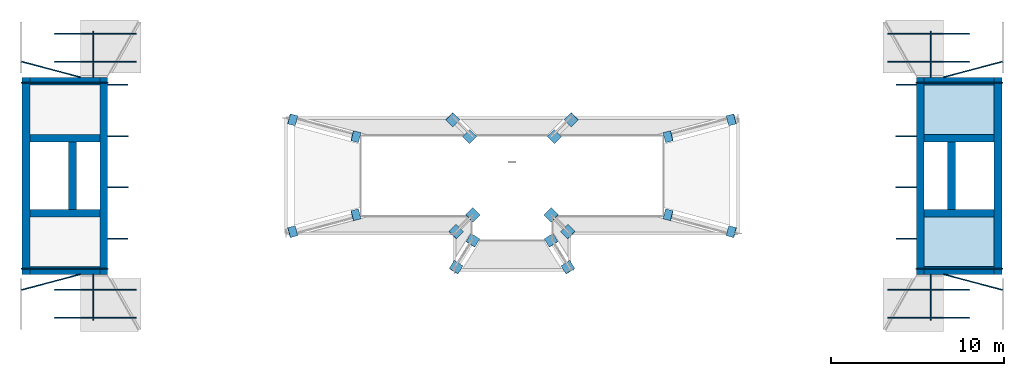
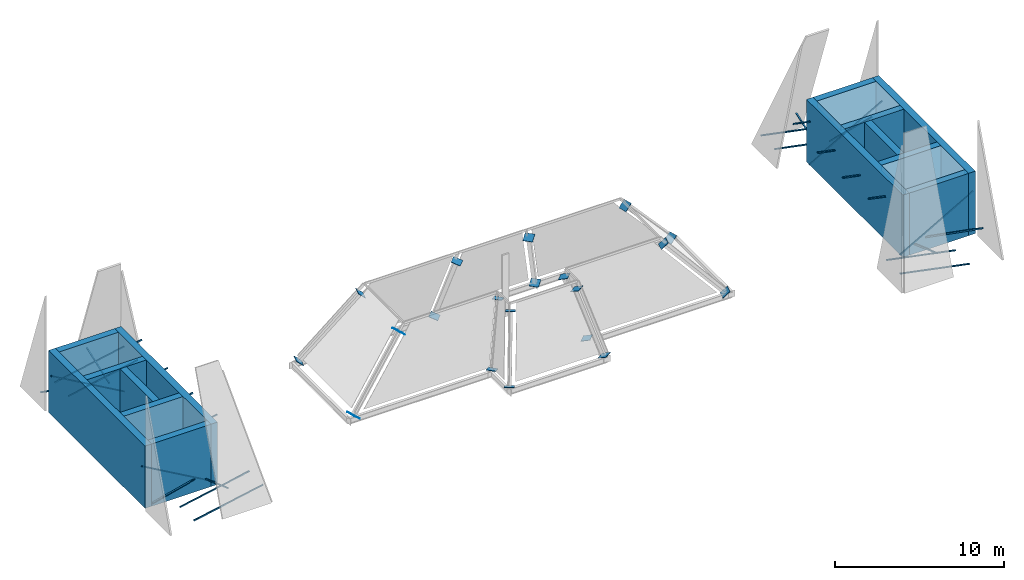
# One storey, part 2 of 4: 48 discrete accessories, 14 walls, 2 slabs.
"""IFC4 building model written with IfcOpenShell, lengths in metres."""

from ifc_helpers import new_model, si_unit, direction, frame, frame_2d, origin, origin_2d, place, context, subcontext, project, spatial, polyline, rectangle, outline, extrude, material, layer, layer_set, material_profile, profile_set, type_object, element, save


model = new_model("IFC4")

# Units and contexts
model_context = context("Model", 3, precision=1e-05, world=origin(), true_north=direction((0.0, 1.0)))
body_context = subcontext(model_context, "Body", "Model", "MODEL_VIEW")
ifc_project = project(units=[si_unit("LENGTHUNIT", "METRE"), si_unit("AREAUNIT", "SQUARE_METRE"), si_unit("VOLUMEUNIT", "CUBIC_METRE"), si_unit("PLANEANGLEUNIT", "RADIAN"), si_unit("MASSUNIT", "GRAM", prefix="KILO")], contexts=[model_context])

# Site, building, storey
site_placement = place(None, origin())
site = spatial("IfcSite", under=ifc_project, at=site_placement, CompositionType="ELEMENT")
building_placement = place(site_placement, origin())
building = spatial("IfcBuilding", under=site, at=building_placement, Name="Perihelion Cross Residences", CompositionType="ELEMENT")
storey_placement = place(building_placement, frame((0.0, 0.0, 312.300048828125)))
storey = spatial("IfcBuildingStorey", under=building, at=storey_placement, Name="L79", CompositionType="ELEMENT", Elevation=312.300048828125)

# Slabs
ifc_material_1 = material(Name="Concrete C50/60", Category="concrete")
ifc_layer_1 = layer(ifc_material_1, 0.39990234375)
ifc_layer_set_1 = layer_set([ifc_layer_1], Name="Stack roof slab 400")
slab_type = type_object("IfcSlabType", Name="Stack roof slab 400", PredefinedType="ROOF", material=ifc_layer_set_1)
slab_1_placement = place(storey_placement, frame((0.0, 0.0, 4.099853515625)))
element("IfcSlab", 1, at=slab_1_placement, inside=storey, type_object=slab_type, Name="East core stack fan deck 1, step 2", PredefinedType="ROOF", context=body_context, shape_type="SweptSolid", body=[
    extrude(outline(polyline([(23.85009765625, 2.39990234375), (27.89990234375, 2.39990234375), (27.89990234375, 5.25), (23.85009765625, 5.25), (23.85009765625, 2.39990234375)])), origin(), (0.0, 0.0, 1.0), 0.400146484375),
])
slab_2_placement = place(storey_placement, frame((0.0, 0.0, 4.099853515625)))
element("IfcSlab", 2, at=slab_2_placement, inside=storey, type_object=slab_type, Name="East core stack fan deck 2, step 2", PredefinedType="ROOF", context=body_context, shape_type="SweptSolid", body=[
    extrude(outline(polyline([(23.85009765625, -5.25), (27.89990234375, -5.25), (27.89990234375, -2.39990234375), (23.85009765625, -2.39990234375), (23.85009765625, -5.25)])), origin(), (0.0, 0.0, 1.0), 0.400146484375),
])

# Walls
ifc_material_2 = material(Name="Concrete C60/75", Category="concrete")
ifc_layer_2 = layer(ifc_material_2, 0.449951171875)
ifc_layer_set_2 = layer_set([ifc_layer_2], Name="Core wall, outer 450")
wall_type = type_object("IfcWallType", Name="Core wall, outer 450", PredefinedType="SHEAR", material=ifc_layer_set_2)
for number, where, z_axis, x_axis, name in (
    (3, (23.625, -5.699951171875, 0.0), (0.0, 0.0, 1.0), (0.0, 1.0, 0.0), "East core stack wall, step 2"),
    (4, (28.125, -5.699951171875, 0.0), (0.0, 0.0, 1.0), (0.0, 1.0, 0.0), "East core stack wall, step 2"),
):
    element("IfcWall", number, at=place(storey_placement, frame(where, z_axis=z_axis, x_axis=x_axis)), inside=storey, type_object=wall_type, Name=name, PredefinedType="SHEAR", context=body_context, shape_type="SweptSolid", body=[
        extrude(rectangle(XDim=11.39990234375, YDim=0.449951171875, at=frame_2d((5.699951171875, 0.0))), origin(), (0.0, 0.0, 1.0), 4.5),
    ])
for number, where, z_axis, x_axis, name in (
    (5, (23.85009765625, 5.47509765625, 0.0), (0.0, 0.0, 1.0), (1.0, 0.0, 0.0), "East core stack wall, step 2"),
    (6, (23.85009765625, -5.47509765625, 0.0), (0.0, 0.0, 1.0), (1.0, 0.0, 0.0), "East core stack wall, step 2"),
    (7, (23.85009765625, 2.175048828125, 0.0), (0.0, 0.0, 1.0), (1.0, 0.0, 0.0), "East core stack partition, step 2"),
    (8, (23.85009765625, -2.175048828125, 0.0), (0.0, 0.0, 1.0), (1.0, 0.0, 0.0), "East core stack partition, step 2"),
):
    element("IfcWall", number, at=place(storey_placement, frame(where, z_axis=z_axis, x_axis=x_axis)), inside=storey, type_object=wall_type, Name=name, PredefinedType="SHEAR", context=body_context, shape_type="SweptSolid", body=[
        extrude(rectangle(XDim=4.0498046875, YDim=0.449951171875, at=frame_2d((2.02490234375, 0.0))), origin(), (0.0, 0.0, 1.0), 4.5),
    ])
wall_1_placement = place(storey_placement, frame((25.425048828125, -1.949951171875, 0.0), z_axis=(0.0, 0.0, 1.0), x_axis=(0.0, 1.0, 0.0)))
element("IfcWall", 9, at=wall_1_placement, inside=storey, type_object=wall_type, Name="East core stack partition, step 2", PredefinedType="SHEAR", context=body_context, shape_type="SweptSolid", body=[
    extrude(rectangle(XDim=3.89990234375, YDim=0.449951171875, at=frame_2d((1.949951171875, 0.0))), origin(), (0.0, 0.0, 1.0), 4.5),
])
for number, where, z_axis, x_axis, name in (
    (10, (-23.625, -5.699951171875, 0.0), (0.0, 0.0, 1.0), (0.0, 1.0, 0.0), "West core stack wall, step 2"),
    (11, (-28.125, -5.699951171875, 0.0), (0.0, 0.0, 1.0), (0.0, 1.0, 0.0), "West core stack wall, step 2"),
):
    element("IfcWall", number, at=place(storey_placement, frame(where, z_axis=z_axis, x_axis=x_axis)), inside=storey, type_object=wall_type, Name=name, PredefinedType="SHEAR", context=body_context, shape_type="SweptSolid", body=[
        extrude(rectangle(XDim=11.39990234375, YDim=0.449951171875, at=frame_2d((5.699951171875, 0.0))), origin(), (0.0, 0.0, 1.0), 4.5),
    ])
for number, where, z_axis, x_axis, name in (
    (12, (-23.85009765625, 5.47509765625, 0.0), (0.0, 0.0, 1.0), (-1.0, 0.0, 0.0), "West core stack wall, step 2"),
    (13, (-23.85009765625, -5.47509765625, 0.0), (0.0, 0.0, 1.0), (-1.0, 0.0, 0.0), "West core stack wall, step 2"),
    (14, (-23.85009765625, 2.175048828125, 0.0), (0.0, 0.0, 1.0), (-1.0, 0.0, 0.0), "West core stack partition, step 2"),
    (15, (-23.85009765625, -2.175048828125, 0.0), (0.0, 0.0, 1.0), (-1.0, 0.0, 0.0), "West core stack partition, step 2"),
):
    element("IfcWall", number, at=place(storey_placement, frame(where, z_axis=z_axis, x_axis=x_axis)), inside=storey, type_object=wall_type, Name=name, PredefinedType="SHEAR", context=body_context, shape_type="SweptSolid", body=[
        extrude(rectangle(XDim=4.0498046875, YDim=0.449951171875, at=frame_2d((2.02490234375, 0.0))), origin(), (0.0, 0.0, 1.0), 4.5),
    ])
wall_2_placement = place(storey_placement, frame((-25.425048828125, -1.949951171875, 0.0), z_axis=(0.0, 0.0, 1.0), x_axis=(0.0, 1.0, 0.0)))
element("IfcWall", 16, at=wall_2_placement, inside=storey, type_object=wall_type, Name="West core stack partition, step 2", PredefinedType="SHEAR", context=body_context, shape_type="SweptSolid", body=[
    extrude(rectangle(XDim=3.89990234375, YDim=0.449951171875, at=frame_2d((1.949951171875, 0.0))), origin(), (0.0, 0.0, 1.0), 4.5),
])

# Discrete accessories
ifc_material_3 = material(Name="Structural steel S355 plate", Category="steel")
ifc_material_profile_1 = material_profile(ifc_material_3, rectangle(XDim=0.60009765625, YDim=0.60009765625, at=origin_2d()), Name="Crown gusset plate")
ifc_profile_set_1 = profile_set([ifc_material_profile_1], Name="Structural steel S355 plate")
discrete_accessory_type_1 = type_object("IfcDiscreteAccessoryType", Name="Crown gusset plate", PredefinedType="BRACKET", material=ifc_profile_set_1)
discrete_accessory_1_placement = place(storey_placement, frame((12.70263671875, -3.23779296875, -0.26123046875), z_axis=(-0.645829313549, 0.17167614664, 0.743929968771), x_axis=(-0.256901156343, -0.966437683387, 0.0)))
element("IfcDiscreteAccessory", 17, at=discrete_accessory_1_placement, inside=storey, type_object=discrete_accessory_type_1, Name="Crown gusset plate", PredefinedType="BRACKET", context=body_context, shape_type="SweptSolid", body=[
    extrude(rectangle(XDim=0.60009765625, YDim=0.60009765625, at=origin_2d()), origin(), (0.0, 0.0, 1.0), 0.02978515625),
])
discrete_accessory_2_placement = place(storey_placement, frame((9.044921875, -2.263916015625, 3.936767578125), z_axis=(-0.650557023797, 0.170771218747, 0.740008614569), x_axis=(-0.253898128412, -0.967230965379, 0.0)))
element("IfcDiscreteAccessory", 18, at=discrete_accessory_2_placement, inside=storey, type_object=discrete_accessory_type_1, Name="Crown gusset plate", PredefinedType="BRACKET", context=body_context, shape_type="SweptSolid", body=[
    extrude(rectangle(XDim=0.60009765625, YDim=0.60009765625, at=origin_2d()), origin(), (0.0, 0.0, 1.0), 0.030029296875),
])
discrete_accessory_3_placement = place(storey_placement, frame((12.70263671875, 3.23779296875, -0.26123046875), z_axis=(-0.645829313549, -0.17167614664, 0.743929968771), x_axis=(0.256901156343, -0.966437683387, 0.0)))
element("IfcDiscreteAccessory", 19, at=discrete_accessory_3_placement, inside=storey, type_object=discrete_accessory_type_1, Name="Crown gusset plate", PredefinedType="BRACKET", context=body_context, shape_type="SweptSolid", body=[
    extrude(rectangle(XDim=0.60009765625, YDim=0.60009765625, at=origin_2d()), origin(), (0.0, 0.0, 1.0), 0.02978515625),
])
for number, where, z_axis, x_axis, name in (
    (20, (9.044921875, 2.263916015625, 3.936767578125), (-0.650557023797, -0.170771218747, 0.740008614569), (0.253898128412, -0.967230965379, 0.0), "Crown gusset plate"),
    (21, (3.435546875, 3.238525390625, -0.264404296875), (-0.219381727238, -0.219381727238, 0.950654151365), (0.707106781187, -0.707106781187, 0.0), "Crown gusset plate"),
    (22, (2.461669921875, 2.2646484375, 3.93359375), (-0.219381727238, -0.219381727238, 0.950654151365), (0.707106781187, -0.707106781187, 0.0), "Crown gusset plate"),
    (23, (-3.435546875, 3.238525390625, -0.264404296875), (0.219381727238, -0.219381727238, 0.950654151365), (0.707106781187, 0.707106781187, 0.0), "Crown gusset plate"),
    (24, (-2.461669921875, 2.2646484375, 3.93359375), (0.219381727238, -0.219381727238, 0.950654151365), (0.707106781187, 0.707106781187, 0.0), "Crown gusset plate"),
):
    element("IfcDiscreteAccessory", number, at=place(storey_placement, frame(where, z_axis=z_axis, x_axis=x_axis)), inside=storey, type_object=discrete_accessory_type_1, Name=name, PredefinedType="BRACKET", context=body_context, shape_type="SweptSolid", body=[
        extrude(rectangle(XDim=0.60009765625, YDim=0.60009765625, at=origin_2d()), origin(), (0.0, 0.0, 1.0), 0.030029296875),
    ])
discrete_accessory_4_placement = place(storey_placement, frame((-12.70263671875, 3.23779296875, -0.26123046875), z_axis=(0.645829313549, -0.17167614664, 0.743929968771), x_axis=(0.256901156343, 0.966437683387, 0.0)))
element("IfcDiscreteAccessory", 25, at=discrete_accessory_4_placement, inside=storey, type_object=discrete_accessory_type_1, Name="Crown gusset plate", PredefinedType="BRACKET", context=body_context, shape_type="SweptSolid", body=[
    extrude(rectangle(XDim=0.60009765625, YDim=0.60009765625, at=origin_2d()), origin(), (0.0, 0.0, 1.0), 0.02978515625),
])
discrete_accessory_5_placement = place(storey_placement, frame((-9.044921875, 2.263916015625, 3.936767578125), z_axis=(0.650557023797, -0.170771218747, 0.740008614569), x_axis=(0.253898128412, 0.967230965379, 0.0)))
element("IfcDiscreteAccessory", 26, at=discrete_accessory_5_placement, inside=storey, type_object=discrete_accessory_type_1, Name="Crown gusset plate", PredefinedType="BRACKET", context=body_context, shape_type="SweptSolid", body=[
    extrude(rectangle(XDim=0.60009765625, YDim=0.60009765625, at=origin_2d()), origin(), (0.0, 0.0, 1.0), 0.030029296875),
])
discrete_accessory_6_placement = place(storey_placement, frame((-12.70263671875, -3.23779296875, -0.26123046875), z_axis=(0.645829313549, 0.17167614664, 0.743929968771), x_axis=(-0.256901156343, 0.966437683387, 0.0)))
element("IfcDiscreteAccessory", 27, at=discrete_accessory_6_placement, inside=storey, type_object=discrete_accessory_type_1, Name="Crown gusset plate", PredefinedType="BRACKET", context=body_context, shape_type="SweptSolid", body=[
    extrude(rectangle(XDim=0.60009765625, YDim=0.60009765625, at=origin_2d()), origin(), (0.0, 0.0, 1.0), 0.02978515625),
])
for number, where, z_axis, x_axis, name in (
    (28, (-9.044921875, -2.263916015625, 3.936767578125), (0.650557023797, 0.170771218747, 0.740008614569), (-0.253898128412, 0.967230965379, 0.0), "Crown gusset plate"),
    (29, (-3.238525390625, -3.238525390625, -0.264404296875), (0.219381727238, 0.219381727238, 0.950654151365), (-0.707106781187, 0.707106781187, 0.0), "Crown gusset plate"),
    (30, (-2.2646484375, -2.2646484375, 3.93359375), (0.219381727238, 0.219381727238, 0.950654151365), (-0.707106781187, 0.707106781187, 0.0), "Crown gusset plate"),
):
    element("IfcDiscreteAccessory", number, at=place(storey_placement, frame(where, z_axis=z_axis, x_axis=x_axis)), inside=storey, type_object=discrete_accessory_type_1, Name=name, PredefinedType="BRACKET", context=body_context, shape_type="SweptSolid", body=[
        extrude(rectangle(XDim=0.60009765625, YDim=0.60009765625, at=origin_2d()), origin(), (0.0, 0.0, 1.0), 0.030029296875),
    ])
for number, where, z_axis, x_axis, name in (
    (31, (-3.238525390625, -5.2998046875, -0.263671875), (0.212402422558, 0.34311160567, 0.914964281787), (-0.850265146688, 0.526354614616, 0.0), "Crown gusset plate"),
    (32, (-2.264404296875, -3.7412109375, 3.934326171875), (0.212993152034, 0.335873816668, 0.917508962607), (-0.84450857845, 0.535542025358, 0.0), "Crown gusset plate"),
    (33, (3.238525390625, -5.2998046875, -0.263671875), (-0.212402422558, 0.34311160567, 0.914964281787), (-0.850265146688, -0.526354614616, 0.0), "Crown gusset plate"),
    (34, (2.264404296875, -3.7412109375, 3.934326171875), (-0.212993152034, 0.335873816668, 0.917508962607), (-0.84450857845, -0.535542025358, 0.0), "Crown gusset plate"),
):
    element("IfcDiscreteAccessory", number, at=place(storey_placement, frame(where, z_axis=z_axis, x_axis=x_axis)), inside=storey, type_object=discrete_accessory_type_1, Name=name, PredefinedType="BRACKET", context=body_context, shape_type="SweptSolid", body=[
        extrude(rectangle(XDim=0.60009765625, YDim=0.60009765625, at=origin_2d()), origin(), (0.0, 0.0, 1.0), 0.02978515625),
    ])
for number, where, z_axis, x_axis, name in (
    (35, (3.238525390625, -3.238525390625, -0.264404296875), (-0.219381727238, 0.219381727238, 0.950654151365), (-0.707106781187, -0.707106781187, 0.0), "Crown gusset plate"),
    (36, (2.2646484375, -2.2646484375, 3.93359375), (-0.219381727238, 0.219381727238, 0.950654151365), (-0.707106781187, -0.707106781187, 0.0), "Crown gusset plate"),
):
    element("IfcDiscreteAccessory", number, at=place(storey_placement, frame(where, z_axis=z_axis, x_axis=x_axis)), inside=storey, type_object=discrete_accessory_type_1, Name=name, PredefinedType="BRACKET", context=body_context, shape_type="SweptSolid", body=[
        extrude(rectangle(XDim=0.60009765625, YDim=0.60009765625, at=origin_2d()), origin(), (0.0, 0.0, 1.0), 0.030029296875),
    ])
ifc_material_4 = material(Name="Stainless steel", Category="steel")
ifc_material_profile_2 = material_profile(ifc_material_4, rectangle(XDim=0.06005859375, YDim=0.06005859375, at=origin_2d()), Name="Pylon facet bracket")
ifc_profile_set_2 = profile_set([ifc_material_profile_2], Name="Stainless steel")
discrete_accessory_type_2 = type_object("IfcDiscreteAccessoryType", Name="Pylon facet bracket", PredefinedType="BRACKET", material=ifc_profile_set_2)
for number, where, z_axis, x_axis, name in (
    (37, (24.22021484375, 8.3505859375, 1.634521484375), (0.0, -0.94222199504, -0.334989122304), (1.0, 0.0, 0.0), "Pylon facet bracket, east stack"),
    (38, (24.22021484375, -8.3505859375, 1.634521484375), (0.0, 0.94222199504, -0.334989122304), (-1.0, 0.0, 0.0), "Pylon facet bracket, east stack"),
):
    element("IfcDiscreteAccessory", number, at=place(storey_placement, frame(where, z_axis=z_axis, x_axis=x_axis)), inside=storey, type_object=discrete_accessory_type_2, Name=name, PredefinedType="BRACKET", context=body_context, shape_type="SweptSolid", body=[
        extrude(rectangle(XDim=0.06005859375, YDim=0.06005859375, at=origin_2d()), origin(), (0.0, 0.0, 1.0), 2.813232421875),
    ])
for number, where, z_axis, x_axis, name in (
    (39, (21.75830078125, -8.22705078125, 0.944580078125), (0.980580675691, 0.0, -0.196116135138), (0.0, 1.0, 0.0), "Pylon facet bracket, east stack"),
    (40, (21.75830078125, -6.6064453125, 0.944580078125), (0.980580675691, 0.0, -0.196116135138), (0.0, 1.0, 0.0), "Pylon facet bracket, east stack"),
):
    element("IfcDiscreteAccessory", number, at=place(storey_placement, frame(where, z_axis=z_axis, x_axis=x_axis)), inside=storey, type_object=discrete_accessory_type_2, Name=name, PredefinedType="BRACKET", context=body_context, shape_type="SweptSolid", body=[
        extrude(rectangle(XDim=0.06005859375, YDim=0.06005859375, at=origin_2d()), origin(), (0.0, 0.0, 1.0), 4.81640625),
    ])
discrete_accessory_7_placement = place(storey_placement, frame((22.24951171875, -3.6416015625, 3.40087890625), z_axis=(0.980556657061, 0.0, -0.19623619007), x_axis=(0.0, 1.0, 0.0)))
element("IfcDiscreteAccessory", 41, at=discrete_accessory_7_placement, inside=storey, type_object=discrete_accessory_type_2, Name="Pylon facet bracket, east stack", PredefinedType="BRACKET", context=body_context, shape_type="SweptSolid", body=[
    extrude(rectangle(XDim=0.06005859375, YDim=0.06005859375, at=origin_2d()), origin(), (0.0, 0.0, 1.0), 1.173095703125),
])
for number, where, z_axis, x_axis, name in (
    (42, (22.1982421875, -0.673095703125, 3.14404296875), (0.980557682106, 0.0, -0.196231068036), (0.0, 1.0, 0.0), "Pylon facet bracket, east stack"),
    (43, (22.1982421875, 2.293701171875, 3.14404296875), (0.980557682106, 0.0, -0.196231068036), (0.0, 1.0, 0.0), "Pylon facet bracket, east stack"),
):
    element("IfcDiscreteAccessory", number, at=place(storey_placement, frame(where, z_axis=z_axis, x_axis=x_axis)), inside=storey, type_object=discrete_accessory_type_2, Name=name, PredefinedType="BRACKET", context=body_context, shape_type="SweptSolid", body=[
        extrude(rectangle(XDim=0.06005859375, YDim=0.06005859375, at=origin_2d()), origin(), (0.0, 0.0, 1.0), 1.2255859375),
    ])
discrete_accessory_8_placement = place(storey_placement, frame((22.24951171875, 5.26220703125, 3.40087890625), z_axis=(0.980556657061, 0.0, -0.19623619007), x_axis=(0.0, 1.0, 0.0)))
element("IfcDiscreteAccessory", 44, at=discrete_accessory_8_placement, inside=storey, type_object=discrete_accessory_type_2, Name="Pylon facet bracket, east stack", PredefinedType="BRACKET", context=body_context, shape_type="SweptSolid", body=[
    extrude(rectangle(XDim=0.06005859375, YDim=0.06005859375, at=origin_2d()), origin(), (0.0, 0.0, 1.0), 1.173095703125),
])
for number, where, z_axis, x_axis, name in (
    (45, (21.75830078125, 8.22705078125, 0.944580078125), (0.980580675691, 0.0, -0.196116135138), (0.0, 1.0, 0.0), "Pylon facet bracket, east stack"),
    (46, (21.75830078125, 6.6064453125, 0.944580078125), (0.980580675691, 0.0, -0.196116135138), (0.0, 1.0, 0.0), "Pylon facet bracket, east stack"),
):
    element("IfcDiscreteAccessory", number, at=place(storey_placement, frame(where, z_axis=z_axis, x_axis=x_axis)), inside=storey, type_object=discrete_accessory_type_2, Name=name, PredefinedType="BRACKET", context=body_context, shape_type="SweptSolid", body=[
        extrude(rectangle(XDim=0.06005859375, YDim=0.06005859375, at=origin_2d()), origin(), (0.0, 0.0, 1.0), 4.81640625),
    ])
discrete_accessory_9_placement = place(storey_placement, frame((28.3798828125, -6.6064453125, 0.938720703125), z_axis=(-0.966478960902, 0.256745823984, 0.0), x_axis=(-0.256745823984, -0.966478960902, 0.0)))
element("IfcDiscreteAccessory", 47, at=discrete_accessory_9_placement, inside=storey, type_object=discrete_accessory_type_2, Name="Pylon facet bracket, east stack", PredefinedType="BRACKET", context=body_context, shape_type="SweptSolid", body=[
    extrude(rectangle(XDim=0.06005859375, YDim=0.06005859375, at=origin_2d()), origin(), (0.0, 0.0, 1.0), 3.53076171875),
])
for number, where, z_axis, x_axis, name in (
    (48, (28.3798828125, -5.372802734375, 2.863525390625), (-0.867335536651, 0.0, -0.497723886168), (0.0, -1.0, 0.0), "Pylon facet bracket, east stack"),
    (49, (28.3798828125, 5.372802734375, 2.863525390625), (-0.867335536651, 0.0, -0.497723886168), (0.0, -1.0, 0.0), "Pylon facet bracket, east stack"),
):
    element("IfcDiscreteAccessory", number, at=place(storey_placement, frame(where, z_axis=z_axis, x_axis=x_axis)), inside=storey, type_object=discrete_accessory_type_2, Name=name, PredefinedType="BRACKET", context=body_context, shape_type="SweptSolid", body=[
        extrude(rectangle(XDim=0.06005859375, YDim=0.06005859375, at=origin_2d()), origin(), (0.0, 0.0, 1.0), 5.753173828125),
    ])
discrete_accessory_10_placement = place(storey_placement, frame((28.3798828125, 6.6064453125, 0.938720703125), z_axis=(-0.966478960902, -0.256745823984, 0.0), x_axis=(0.256745823984, -0.966478960902, 0.0)))
element("IfcDiscreteAccessory", 50, at=discrete_accessory_10_placement, inside=storey, type_object=discrete_accessory_type_2, Name="Pylon facet bracket, east stack", PredefinedType="BRACKET", context=body_context, shape_type="SweptSolid", body=[
    extrude(rectangle(XDim=0.06005859375, YDim=0.06005859375, at=origin_2d()), origin(), (0.0, 0.0, 1.0), 3.53076171875),
])
for number, where, z_axis, x_axis, name in (
    (51, (-24.22021484375, 8.3505859375, 1.634521484375), (0.0, -0.94222199504, -0.334989122304), (1.0, 0.0, 0.0), "Pylon facet bracket, west stack"),
    (52, (-24.22021484375, -8.3505859375, 1.634521484375), (0.0, 0.94222199504, -0.334989122304), (-1.0, 0.0, 0.0), "Pylon facet bracket, west stack"),
):
    element("IfcDiscreteAccessory", number, at=place(storey_placement, frame(where, z_axis=z_axis, x_axis=x_axis)), inside=storey, type_object=discrete_accessory_type_2, Name=name, PredefinedType="BRACKET", context=body_context, shape_type="SweptSolid", body=[
        extrude(rectangle(XDim=0.06005859375, YDim=0.06005859375, at=origin_2d()), origin(), (0.0, 0.0, 1.0), 2.813232421875),
    ])
for number, where, z_axis, x_axis, name in (
    (53, (-21.75830078125, -8.22705078125, 0.944580078125), (-0.980580675691, 0.0, -0.196116135138), (0.0, -1.0, 0.0), "Pylon facet bracket, west stack"),
    (54, (-21.75830078125, -6.6064453125, 0.944580078125), (-0.980580675691, 0.0, -0.196116135138), (0.0, -1.0, 0.0), "Pylon facet bracket, west stack"),
):
    element("IfcDiscreteAccessory", number, at=place(storey_placement, frame(where, z_axis=z_axis, x_axis=x_axis)), inside=storey, type_object=discrete_accessory_type_2, Name=name, PredefinedType="BRACKET", context=body_context, shape_type="SweptSolid", body=[
        extrude(rectangle(XDim=0.06005859375, YDim=0.06005859375, at=origin_2d()), origin(), (0.0, 0.0, 1.0), 4.81640625),
    ])
discrete_accessory_11_placement = place(storey_placement, frame((-22.24951171875, -3.6416015625, 3.40087890625), z_axis=(-0.980556657061, 0.0, -0.19623619007), x_axis=(0.0, -1.0, 0.0)))
element("IfcDiscreteAccessory", 55, at=discrete_accessory_11_placement, inside=storey, type_object=discrete_accessory_type_2, Name="Pylon facet bracket, west stack", PredefinedType="BRACKET", context=body_context, shape_type="SweptSolid", body=[
    extrude(rectangle(XDim=0.06005859375, YDim=0.06005859375, at=origin_2d()), origin(), (0.0, 0.0, 1.0), 1.173095703125),
])
for number, where, z_axis, x_axis, name in (
    (56, (-22.1982421875, -0.673095703125, 3.14404296875), (-0.980557682106, 0.0, -0.196231068036), (0.0, -1.0, 0.0), "Pylon facet bracket, west stack"),
    (57, (-22.1982421875, 2.293701171875, 3.14404296875), (-0.980557682106, 0.0, -0.196231068036), (0.0, -1.0, 0.0), "Pylon facet bracket, west stack"),
):
    element("IfcDiscreteAccessory", number, at=place(storey_placement, frame(where, z_axis=z_axis, x_axis=x_axis)), inside=storey, type_object=discrete_accessory_type_2, Name=name, PredefinedType="BRACKET", context=body_context, shape_type="SweptSolid", body=[
        extrude(rectangle(XDim=0.06005859375, YDim=0.06005859375, at=origin_2d()), origin(), (0.0, 0.0, 1.0), 1.2255859375),
    ])
discrete_accessory_12_placement = place(storey_placement, frame((-22.24951171875, 5.26220703125, 3.40087890625), z_axis=(-0.980556657061, 0.0, -0.19623619007), x_axis=(0.0, -1.0, 0.0)))
element("IfcDiscreteAccessory", 58, at=discrete_accessory_12_placement, inside=storey, type_object=discrete_accessory_type_2, Name="Pylon facet bracket, west stack", PredefinedType="BRACKET", context=body_context, shape_type="SweptSolid", body=[
    extrude(rectangle(XDim=0.06005859375, YDim=0.06005859375, at=origin_2d()), origin(), (0.0, 0.0, 1.0), 1.173095703125),
])
for number, where, z_axis, x_axis, name in (
    (59, (-21.75830078125, 8.22705078125, 0.944580078125), (-0.980580675691, 0.0, -0.196116135138), (0.0, -1.0, 0.0), "Pylon facet bracket, west stack"),
    (60, (-21.75830078125, 6.6064453125, 0.944580078125), (-0.980580675691, 0.0, -0.196116135138), (0.0, -1.0, 0.0), "Pylon facet bracket, west stack"),
):
    element("IfcDiscreteAccessory", number, at=place(storey_placement, frame(where, z_axis=z_axis, x_axis=x_axis)), inside=storey, type_object=discrete_accessory_type_2, Name=name, PredefinedType="BRACKET", context=body_context, shape_type="SweptSolid", body=[
        extrude(rectangle(XDim=0.06005859375, YDim=0.06005859375, at=origin_2d()), origin(), (0.0, 0.0, 1.0), 4.81640625),
    ])
discrete_accessory_13_placement = place(storey_placement, frame((-28.3798828125, -6.6064453125, 0.938720703125), z_axis=(0.966478960902, 0.256745823984, 0.0), x_axis=(-0.256745823984, 0.966478960902, 0.0)))
element("IfcDiscreteAccessory", 61, at=discrete_accessory_13_placement, inside=storey, type_object=discrete_accessory_type_2, Name="Pylon facet bracket, west stack", PredefinedType="BRACKET", context=body_context, shape_type="SweptSolid", body=[
    extrude(rectangle(XDim=0.06005859375, YDim=0.06005859375, at=origin_2d()), origin(), (0.0, 0.0, 1.0), 3.53076171875),
])
for number, where, z_axis, x_axis, name in (
    (62, (-28.3798828125, -5.372802734375, 2.863525390625), (0.867335536651, 0.0, -0.497723886168), (0.0, 1.0, 0.0), "Pylon facet bracket, west stack"),
    (63, (-28.3798828125, 5.372802734375, 2.863525390625), (0.867335536651, 0.0, -0.497723886168), (0.0, 1.0, 0.0), "Pylon facet bracket, west stack"),
):
    element("IfcDiscreteAccessory", number, at=place(storey_placement, frame(where, z_axis=z_axis, x_axis=x_axis)), inside=storey, type_object=discrete_accessory_type_2, Name=name, PredefinedType="BRACKET", context=body_context, shape_type="SweptSolid", body=[
        extrude(rectangle(XDim=0.06005859375, YDim=0.06005859375, at=origin_2d()), origin(), (0.0, 0.0, 1.0), 5.753173828125),
    ])
discrete_accessory_14_placement = place(storey_placement, frame((-28.3798828125, 6.6064453125, 0.938720703125), z_axis=(0.966478960902, -0.256745823984, 0.0), x_axis=(0.256745823984, 0.966478960902, 0.0)))
element("IfcDiscreteAccessory", 64, at=discrete_accessory_14_placement, inside=storey, type_object=discrete_accessory_type_2, Name="Pylon facet bracket, west stack", PredefinedType="BRACKET", context=body_context, shape_type="SweptSolid", body=[
    extrude(rectangle(XDim=0.06005859375, YDim=0.06005859375, at=origin_2d()), origin(), (0.0, 0.0, 1.0), 3.53076171875),
])

save(model, "model.ifc")
